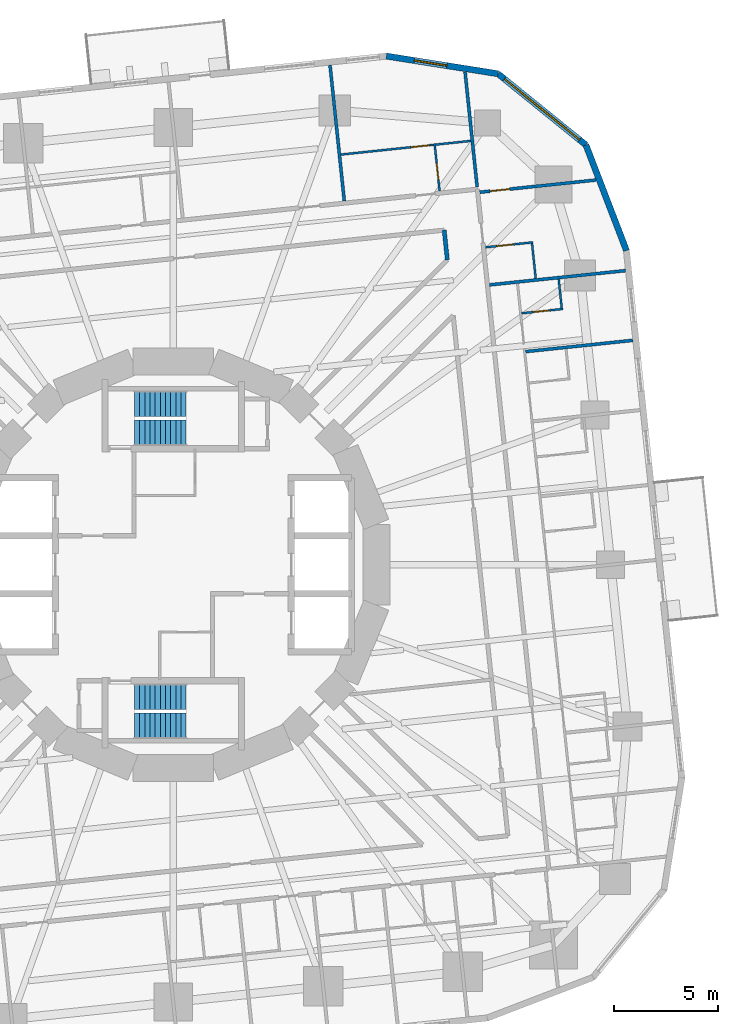
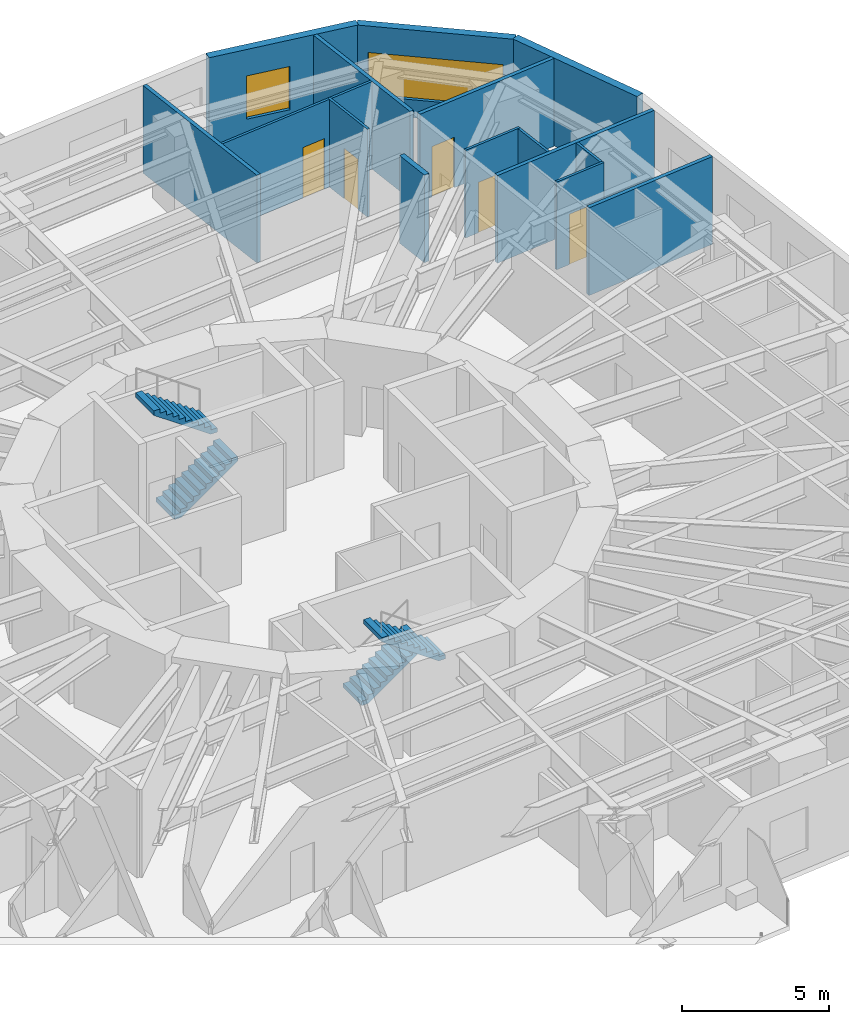
# One storey, part 11 of 13: 16 walls, 5 doors, 4 stair flights, 2 windows, 7 openings, 2 elements without a shape of their own.
"""IFC4 building model written with IfcOpenShell, lengths in metres."""

from ifc_helpers import new_model, si_unit, direction, frame, frame_2d, origin, place, context, subcontext, project, spatial, polyline, rectangle, outline, extrude, material, layer, layer_set, type_object, element, fill, aggregate, save


model = new_model("IFC4")

# Units and contexts
model_context = context("Model", 3, precision=1e-05, world=origin(), true_north=direction((0.0, 1.0)))
body_context = subcontext(model_context, "Body", "Model", "MODEL_VIEW")
ifc_project = project(units=[si_unit("LENGTHUNIT", "METRE"), si_unit("AREAUNIT", "SQUARE_METRE"), si_unit("VOLUMEUNIT", "CUBIC_METRE"), si_unit("PLANEANGLEUNIT", "RADIAN"), si_unit("MASSUNIT", "GRAM", prefix="KILO")], contexts=[model_context])

# Site, building, storey
site_placement = place(None, origin())
site = spatial("IfcSite", under=ifc_project, at=site_placement, CompositionType="ELEMENT")
building_placement = place(site_placement, origin())
building = spatial("IfcBuilding", under=site, at=building_placement, Name="Nakasero Lantern House", CompositionType="ELEMENT")
storey_placement = place(building_placement, frame((0.0, 0.0, 91.300048828125)))
storey = spatial("IfcBuildingStorey", under=building, at=storey_placement, Name="L22", CompositionType="ELEMENT", Elevation=91.300048828125)

# Wall
ifc_material_1 = material(Name="Blockwork", Category="masonry")
ifc_layer_1 = layer(ifc_material_1, 0.199951171875)
ifc_layer_set_1 = layer_set([ifc_layer_1], Name="Corridor wall 200")
wall_type_1 = type_object("IfcWallType", Name="Corridor wall 200", PredefinedType="PARTITIONING", material=ifc_layer_set_1)
wall_1_placement = place(storey_placement, frame((13.23388671875, 14.718994140625, 0.0), z_axis=(0.0, 0.0, 1.0), x_axis=(-0.104420916302, 0.994533193131, 0.0)))
element("IfcWall", 1, at=wall_1_placement, inside=storey, type_object=wall_type_1, Name="Corridor wall L22 IW0-1", PredefinedType="PARTITIONING", context=body_context, shape_type="SweptSolid", body=[
    extrude(rectangle(XDim=1.44482421875, YDim=0.199951171875, at=frame_2d((0.722412109375, 0.0))), origin(), (0.0, 0.0, 1.0), 3.64990234375),
])

# Wall, opening, door
ifc_material_2 = material(Name="Blockwork", Category="masonry")
ifc_layer_2 = layer(ifc_material_2, 0.10009765625)
ifc_layer_set_2 = layer_set([ifc_layer_2], Name="En-suite wall 100")
wall_type_2 = type_object("IfcWallType", Name="En-suite wall 100", PredefinedType="PARTITIONING", material=ifc_layer_set_2)
wall_2_placement = place(storey_placement, frame((16.822998046875, 12.14111328125, 0.0), z_axis=(0.0, 0.0, 1.0), x_axis=(0.99452550138, 0.104494148666, 0.0)))
wall_2 = element("IfcWall", 2, at=wall_2_placement, inside=storey, type_object=wall_type_2, Name="En-suite wall L22 ES0-07", PredefinedType="PARTITIONING", context=body_context, shape_type="SweptSolid", body=[
    extrude(rectangle(XDim=2.0, YDim=0.10009765625, at=frame_2d((1.0, 0.0))), origin(), (0.0, 0.0, 1.0), 3.64990234375),
])
opening_1_placement = place(wall_2_placement, frame((0.550048828125, 0.0, 0.0)))
opening_1 = element("IfcOpeningElement", 3, at=opening_1_placement, cuts=wall_2, Name="Opening D02", PredefinedType="OPENING", context=body_context, shape_type="SweptSolid", body=[
    extrude(rectangle(XDim=0.800048828125, YDim=2.10009765625, at=frame_2d((0.39990234375, 1.050048828125))), frame((0.0, 0.070068359375, 0.0), z_axis=(0.0, -1.0, 0.0), x_axis=(1.0, 0.0, 0.0)), (0.0, 0.0, 1.0), 0.14013671875),
])
ifc_material_3 = material(Name="Timber C24", Category="wood")
door_type_1 = type_object("IfcDoorType", Name="En-suite door 800", OperationType="SINGLE_SWING_RIGHT", PredefinedType="DOOR", material=ifc_material_3)
door_1_placement = place(opening_1_placement, origin())
door_1 = element("IfcDoor", 4, at=door_1_placement, inside=storey, type_object=door_type_1, Name="Door L22 DE0-07", OperationType="SINGLE_SWING_LEFT", OverallHeight=2.10009765625, OverallWidth=0.800048828125, PredefinedType="DOOR", context=body_context, shape_type="SweptSolid", body=[
    extrude(rectangle(XDim=0.800048828125, YDim=2.10009765625, at=frame_2d((0.39990234375, 1.050048828125))), frame((0.0, 0.02490234375, 0.0), z_axis=(0.0, -1.0, 0.0), x_axis=(1.0, 0.0, 0.0)), (0.0, 0.0, 1.0), 0.050048828125),
])
fill(opening_1, door_1)

# Wall
wall_3_placement = place(storey_placement, frame((18.757080078125, 12.394775390625, 0.0), z_axis=(0.0, 0.0, 1.0), x_axis=(-0.104457839748, 0.994529315664, 0.0)))
element("IfcWall", 5, at=wall_3_placement, inside=storey, type_object=wall_type_2, Name="En-suite wall L22 EE0-07", PredefinedType="PARTITIONING", context=body_context, shape_type="SweptSolid", body=[
    extrude(rectangle(XDim=1.39990234375, YDim=0.10009765625, at=frame_2d((0.699951171875, 0.0))), origin(), (0.0, 0.0, 1.0), 3.64990234375),
])

# Wall, opening, door
wall_4_placement = place(storey_placement, frame((15.08056640625, 15.326416015625, 0.0), z_axis=(0.0, 0.0, 1.0), x_axis=(0.994518822602, 0.104557694553, 0.0)))
wall_4 = element("IfcWall", 6, at=wall_4_placement, inside=storey, type_object=wall_type_2, Name="En-suite wall L22 ES0-08", PredefinedType="PARTITIONING", context=body_context, shape_type="SweptSolid", body=[
    extrude(rectangle(XDim=2.300048828125, YDim=0.10009765625, at=frame_2d((1.14990234375, 0.0))), origin(), (0.0, 0.0, 1.0), 3.64990234375),
])
opening_2_placement = place(wall_4_placement, frame((0.550048828125, 0.0, 0.0)))
opening_2 = element("IfcOpeningElement", 7, at=opening_2_placement, cuts=wall_4, Name="Opening D02", PredefinedType="OPENING", context=body_context, shape_type="SweptSolid", body=[
    extrude(rectangle(XDim=0.800048828125, YDim=2.10009765625, at=frame_2d((0.39990234375, 1.050048828125))), frame((0.0, 0.070068359375, 0.0), z_axis=(0.0, -1.0, 0.0), x_axis=(1.0, 0.0, 0.0)), (0.0, 0.0, 1.0), 0.14013671875),
])
door_2_placement = place(opening_2_placement, origin())
door_2 = element("IfcDoor", 8, at=door_2_placement, inside=storey, type_object=door_type_1, Name="Door L22 DE0-08", OperationType="SINGLE_SWING_LEFT", OverallHeight=2.10009765625, OverallWidth=0.800048828125, PredefinedType="DOOR", context=body_context, shape_type="SweptSolid", body=[
    extrude(rectangle(XDim=0.800048828125, YDim=2.10009765625, at=frame_2d((0.39990234375, 1.050048828125))), frame((0.0, 0.02490234375, 0.0), z_axis=(0.0, -1.0, 0.0), x_axis=(1.0, 0.0, 0.0)), (0.0, 0.0, 1.0), 0.050048828125),
])
fill(opening_2, door_2)

# Wall
wall_5_placement = place(storey_placement, frame((17.501220703125, 13.8212890625, 0.0), z_axis=(0.0, 0.0, 1.0), x_axis=(-0.104550220202, 0.994519608382, 0.0)))
element("IfcWall", 9, at=wall_5_placement, inside=storey, type_object=wall_type_2, Name="En-suite wall L22 EE0-08", PredefinedType="PARTITIONING", context=body_context, shape_type="SweptSolid", body=[
    extrude(rectangle(XDim=1.699951171875, YDim=0.10009765625, at=frame_2d((0.85009765625, 0.0))), origin(), (0.0, 0.0, 1.0), 3.64990234375),
])

# Wall, opening, door
wall_6_placement = place(storey_placement, frame((12.859375, 18.04296875, 0.0), z_axis=(0.0, 0.0, 1.0), x_axis=(-0.104452703326, 0.994529855142, 0.0)))
wall_6 = element("IfcWall", 10, at=wall_6_placement, inside=storey, type_object=wall_type_2, Name="En-suite wall L22 ES1-00", PredefinedType="PARTITIONING", context=body_context, shape_type="SweptSolid", body=[
    extrude(rectangle(XDim=2.300048828125, YDim=0.10009765625, at=frame_2d((1.14990234375, 0.0))), origin(), (0.0, 0.0, 1.0), 3.64990234375),
])
opening_3_placement = place(wall_6_placement, frame((0.550048828125, 0.0, 0.0)))
opening_3 = element("IfcOpeningElement", 11, at=opening_3_placement, cuts=wall_6, Name="Opening D02", PredefinedType="OPENING", context=body_context, shape_type="SweptSolid", body=[
    extrude(rectangle(XDim=0.800048828125, YDim=2.10009765625, at=frame_2d((0.39990234375, 1.050048828125))), frame((0.0, 0.070068359375, 0.0), z_axis=(0.0, -1.0, 0.0), x_axis=(1.0, 0.0, 0.0)), (0.0, 0.0, 1.0), 0.14013671875),
])
door_3_placement = place(opening_3_placement, origin())
door_3 = element("IfcDoor", 12, at=door_3_placement, inside=storey, type_object=door_type_1, Name="Door L22 DE1-00", OperationType="SINGLE_SWING_LEFT", OverallHeight=2.10009765625, OverallWidth=0.800048828125, PredefinedType="DOOR", context=body_context, shape_type="SweptSolid", body=[
    extrude(rectangle(XDim=0.800048828125, YDim=2.10009765625, at=frame_2d((0.39990234375, 1.050048828125))), frame((0.0, 0.02490234375, 0.0), z_axis=(0.0, -1.0, 0.0), x_axis=(1.0, 0.0, 0.0)), (0.0, 0.0, 1.0), 0.050048828125),
])
fill(opening_3, door_3)

# Wall
wall_7_placement = place(storey_placement, frame((14.36474609375, 20.463623046875, 0.0), z_axis=(0.0, 0.0, 1.0), x_axis=(-0.994519608382, -0.104550220202, 0.0)))
element("IfcWall", 13, at=wall_7_placement, inside=storey, type_object=wall_type_2, Name="En-suite wall L22 EE1-00", PredefinedType="PARTITIONING", context=body_context, shape_type="SweptSolid", body=[
    extrude(rectangle(XDim=1.699951171875, YDim=0.10009765625, at=frame_2d((0.85009765625, 0.0))), origin(), (0.0, 0.0, 1.0), 3.64990234375),
])

# Wall, opening, door
wall_8_placement = place(storey_placement, frame((12.574462890625, 20.275390625, 0.0), z_axis=(0.0, 0.0, 1.0), x_axis=(-0.994521195757, -0.104535119414, 0.0)))
wall_8 = element("IfcWall", 14, at=wall_8_placement, inside=storey, type_object=wall_type_2, Name="En-suite wall L22 EL1-00", PredefinedType="PARTITIONING", context=body_context, shape_type="SweptSolid", body=[
    extrude(rectangle(XDim=4.50048828125, YDim=0.10009765625, at=frame_2d((2.250244140625, 0.0))), origin(), (0.0, 0.0, 1.0), 3.64990234375),
])
opening_4_placement = place(wall_8_placement, frame((0.199951171875, 0.0, 0.0)))
opening_4 = element("IfcOpeningElement", 15, at=opening_4_placement, cuts=wall_8, Name="Opening D17", PredefinedType="OPENING", context=body_context, shape_type="SweptSolid", body=[
    extrude(rectangle(XDim=0.89990234375, YDim=2.10009765625, at=frame_2d((0.449951171875, 1.050048828125))), frame((0.0, 0.070068359375, 0.0), z_axis=(0.0, -1.0, 0.0), x_axis=(1.0, 0.0, 0.0)), (0.0, 0.0, 1.0), 0.14013671875),
])
ifc_material_4 = material(Name="Timber C24", Category="wood")
door_type_2 = type_object("IfcDoorType", Name="Bedroom door FD30S 900", OperationType="SINGLE_SWING_LEFT", PredefinedType="DOOR", material=ifc_material_4)
door_4_placement = place(opening_4_placement, origin())
door_4 = element("IfcDoor", 16, at=door_4_placement, inside=storey, type_object=door_type_2, Name="Door L22 DL1-00", OperationType="SINGLE_SWING_LEFT", OverallHeight=2.10009765625, OverallWidth=0.89990234375, PredefinedType="DOOR", context=body_context, shape_type="SweptSolid", body=[
    extrude(rectangle(XDim=0.89990234375, YDim=2.10009765625, at=frame_2d((0.449951171875, 1.050048828125))), frame((0.0, 0.02490234375, 0.0), z_axis=(0.0, -1.0, 0.0), x_axis=(1.0, 0.0, 0.0)), (0.0, 0.0, 1.0), 0.050048828125),
])
fill(opening_4, door_4)

# Wall
ifc_material_5 = material(Name="Aluminium rainscreen on blockwork", Category="masonry")
ifc_layer_3 = layer(ifc_material_5, 0.300048828125)
ifc_layer_set_3 = layer_set([ifc_layer_3], Name="Facade wall 300")
wall_type_3 = type_object("IfcWallType", Name="Facade wall 300", PredefinedType="SOLIDWALL", material=ifc_layer_set_3)
wall_9_placement = place(storey_placement, frame((21.884033203125, 15.170654296875, 0.0), z_axis=(0.0, 0.0, 1.0), x_axis=(-0.358358884793, 0.933583906079, 0.0)))
element("IfcWall", 17, at=wall_9_placement, inside=storey, type_object=wall_type_3, Name="Facade wall L22 FW0C1", PredefinedType="SOLIDWALL", context=body_context, shape_type="SweptSolid", body=[
    extrude(rectangle(XDim=5.461181640625, YDim=0.300048828125, at=frame_2d((2.73046875, 0.0))), origin(), (0.0, 0.0, 1.0), 3.64990234375),
])

# Wall, opening, window
wall_10_placement = place(storey_placement, frame((19.927001953125, 20.26904296875, 0.0), z_axis=(0.0, 0.0, 1.0), x_axis=(-0.777134500863, 0.629334543442, 0.0)))
wall_10 = element("IfcWall", 18, at=wall_10_placement, inside=storey, type_object=wall_type_3, Name="Facade wall L22 FW0C2", PredefinedType="SOLIDWALL", context=body_context, shape_type="SweptSolid", body=[
    extrude(rectangle(XDim=5.4609375, YDim=0.300048828125, at=frame_2d((2.73046875, 0.0))), origin(), (0.0, 0.0, 1.0), 3.64990234375),
])
opening_5_placement = place(wall_10_placement, frame((0.39990234375, 0.0, 0.75)))
opening_5 = element("IfcOpeningElement", 19, at=opening_5_placement, cuts=wall_10, Name="Opening W246", PredefinedType="OPENING", context=body_context, shape_type="SweptSolid", body=[
    extrude(rectangle(XDim=4.660888671875, YDim=1.800048828125, at=frame_2d((2.33056640625, 0.89990234375))), frame((0.0, 0.169921875, 0.0), z_axis=(0.0, -1.0, 0.0), x_axis=(1.0, 0.0, 0.0)), (0.0, 0.0, 1.0), 0.340087890625),
])
ifc_material_6 = material(Name="Aluminium 6063-T6 and glass", Category="aluminium")
window_type_1 = type_object("IfcWindowType", Name="Corner window 4661x1800", PartitioningType="SINGLE_PANEL", PredefinedType="WINDOW", material=ifc_material_6)
window_1_placement = place(opening_5_placement, origin())
window_1 = element("IfcWindow", 20, at=window_1_placement, inside=storey, type_object=window_type_1, Name="Window L22 WC0", OverallHeight=1.800048828125, OverallWidth=4.660888671875, PartitioningType="SINGLE_PANEL", PredefinedType="WINDOW", context=body_context, shape_type="SweptSolid", body=[
    extrude(rectangle(XDim=4.660888671875, YDim=1.800048828125, at=frame_2d((2.33056640625, 0.89990234375))), frame((0.0, 0.030029296875, 0.0), z_axis=(0.0, -1.0, 0.0), x_axis=(1.0, 0.0, 0.0)), (0.0, 0.0, 1.0), 0.06005859375),
])
fill(opening_5, window_1)

wall_11_placement = place(storey_placement, frame((15.68310546875, 23.705810546875, 0.0), z_axis=(0.0, 0.0, 1.0), x_axis=(-0.987690729142, 0.156419383601, 0.0)))
wall_11 = element("IfcWall", 21, at=wall_11_placement, inside=storey, type_object=wall_type_3, Name="Facade wall L22 FW0C3", PredefinedType="SOLIDWALL", context=body_context, shape_type="SweptSolid", body=[
    extrude(rectangle(XDim=5.461181640625, YDim=0.300048828125, at=frame_2d((2.73046875, 0.0))), origin(), (0.0, 0.0, 1.0), 3.64990234375),
])
opening_6_placement = place(wall_11_placement, frame((2.5, 0.0, 0.75)))
opening_6 = element("IfcOpeningElement", 22, at=opening_6_placement, cuts=wall_11, Name="Opening W01", PredefinedType="OPENING", context=body_context, shape_type="SweptSolid", body=[
    extrude(rectangle(XDim=1.60009765625, YDim=1.800048828125, at=frame_2d((0.800048828125, 0.89990234375))), frame((0.0, 0.169921875, 0.0), z_axis=(0.0, -1.0, 0.0), x_axis=(1.0, 0.0, 0.0)), (0.0, 0.0, 1.0), 0.340087890625),
])
ifc_material_7 = material(Name="Aluminium 6063-T6 and glass", Category="aluminium")
window_type_2 = type_object("IfcWindowType", Name="Bedroom window 1600x1800", PartitioningType="SINGLE_PANEL", PredefinedType="WINDOW", material=ifc_material_7)
window_2_placement = place(opening_6_placement, origin())
window_2 = element("IfcWindow", 23, at=window_2_placement, inside=storey, type_object=window_type_2, Name="Window L22 WN1-00", OverallHeight=1.800048828125, OverallWidth=1.60009765625, PartitioningType="SINGLE_PANEL", PredefinedType="WINDOW", context=body_context, shape_type="SweptSolid", body=[
    extrude(rectangle(XDim=1.60009765625, YDim=1.800048828125, at=frame_2d((0.800048828125, 0.89990234375))), frame((0.0, 0.030029296875, 0.0), z_axis=(0.0, -1.0, 0.0), x_axis=(1.0, 0.0, 0.0)), (0.0, 0.0, 1.0), 0.06005859375),
])
fill(opening_6, window_2)

# Walls
ifc_material_8 = material(Name="Blockwork", Category="masonry")
ifc_layer_4 = layer(ifc_material_8, 0.14990234375)
ifc_layer_set_4 = layer_set([ifc_layer_4], Name="Party wall 150")
wall_type_4 = type_object("IfcWallType", Name="Party wall 150", PredefinedType="PARTITIONING", material=ifc_layer_set_4)
wall_12_placement = place(storey_placement, frame((17.017578125, 10.290771484375, 0.0), z_axis=(0.0, 0.0, 1.0), x_axis=(0.994523446942, 0.104513699976, 0.0)))
element("IfcWall", 24, at=wall_12_placement, inside=storey, type_object=wall_type_4, Name="Party wall L22 PW0-07", PredefinedType="PARTITIONING", context=body_context, shape_type="SweptSolid", body=[
    extrude(rectangle(XDim=5.199951171875, YDim=0.14990234375, at=frame_2d((2.60009765625, 0.0))), origin(), (0.0, 0.0, 1.0), 3.64990234375),
])
wall_13_placement = place(storey_placement, frame((15.271240234375, 13.511474609375, 0.0), z_axis=(0.0, 0.0, 1.0), x_axis=(0.994521251134, 0.104534592565, 0.0)))
element("IfcWall", 25, at=wall_13_placement, inside=storey, type_object=wall_type_4, Name="Party wall L22 PW0-08", PredefinedType="PARTITIONING", context=body_context, shape_type="SweptSolid", body=[
    extrude(rectangle(XDim=6.60009765625, YDim=0.14990234375, at=frame_2d((3.300048828125, 0.0))), origin(), (0.0, 0.0, 1.0), 3.64990234375),
])

# Wall, opening, door
wall_14_placement = place(storey_placement, frame((14.801025390625, 17.9853515625, 0.0), z_axis=(0.0, 0.0, 1.0), x_axis=(0.994522751177, 0.104520320471, 0.0)))
wall_14 = element("IfcWall", 26, at=wall_14_placement, inside=storey, type_object=wall_type_4, Name="Party wall L22 PC0", PredefinedType="PARTITIONING", context=body_context, shape_type="SweptSolid", body=[
    extrude(rectangle(XDim=5.64111328125, YDim=0.14990234375, at=frame_2d((2.820556640625, 0.0))), origin(), (0.0, 0.0, 1.0), 3.64990234375),
])
opening_7_placement = place(wall_14_placement, frame((0.5, 0.0, 0.0)))
opening_7 = element("IfcOpeningElement", 27, at=opening_7_placement, cuts=wall_14, Name="Opening D01", PredefinedType="OPENING", context=body_context, shape_type="SweptSolid", body=[
    extrude(rectangle(XDim=0.949951171875, YDim=2.10009765625, at=frame_2d((0.47509765625, 1.050048828125))), frame((0.0, 0.094970703125, 0.0), z_axis=(0.0, -1.0, 0.0), x_axis=(1.0, 0.0, 0.0)), (0.0, 0.0, 1.0), 0.18994140625),
])
ifc_material_9 = material(Name="Timber C24", Category="wood")
door_type_3 = type_object("IfcDoorType", Name="Bedroom door FD30S 950", OperationType="SINGLE_SWING_LEFT", PredefinedType="DOOR", material=ifc_material_9)
door_5_placement = place(opening_7_placement, origin())
door_5 = element("IfcDoor", 28, at=door_5_placement, inside=storey, type_object=door_type_3, Name="Door L22 DC0", OperationType="SINGLE_SWING_LEFT", OverallHeight=2.10009765625, OverallWidth=0.949951171875, PredefinedType="DOOR", context=body_context, shape_type="SweptSolid", body=[
    extrude(rectangle(XDim=0.949951171875, YDim=2.10009765625, at=frame_2d((0.47509765625, 1.050048828125))), frame((0.0, 0.02490234375, 0.0), z_axis=(0.0, -1.0, 0.0), x_axis=(1.0, 0.0, 0.0)), (0.0, 0.0, 1.0), 0.050048828125),
])
fill(opening_7, door_5)

# Walls
wall_15_placement = place(storey_placement, frame((14.674560546875, 18.23388671875, 0.0), z_axis=(0.0, 0.0, 1.0), x_axis=(-0.104541754786, 0.994520498284, 0.0)))
element("IfcWall", 29, at=wall_15_placement, inside=storey, type_object=wall_type_4, Name="Party wall L22 PW1-00", PredefinedType="PARTITIONING", context=body_context, shape_type="SweptSolid", body=[
    extrude(rectangle(XDim=5.597900390625, YDim=0.14990234375, at=frame_2d((2.798828125, 0.0))), origin(), (0.0, 0.0, 1.0), 3.64990234375),
])
wall_16_placement = place(storey_placement, frame((8.25927734375, 17.5595703125, 0.0), z_axis=(0.0, 0.0, 1.0), x_axis=(-0.104538438287, 0.994520846901, 0.0)))
element("IfcWall", 30, at=wall_16_placement, inside=storey, type_object=wall_type_4, Name="Party wall L22 PW1-02", PredefinedType="PARTITIONING", context=body_context, shape_type="SweptSolid", body=[
    extrude(rectangle(XDim=6.599853515625, YDim=0.14990234375, at=frame_2d((3.2998046875, 0.0))), origin(), (0.0, 0.0, 1.0), 3.64990234375),
])

# Stair, stair flights
ifc_material_10 = material(Name="Concrete C40/50", Category="concrete")
stair_type_1 = type_object("IfcStairType", Name="Escape stair ST1 22 risers", PredefinedType="HALF_TURN_STAIR", material=ifc_material_10)
stair_1_placement = place(storey_placement, origin())
stair_1 = element("IfcStair", 31, at=stair_1_placement, inside=storey, type_object=stair_type_1, Name="Escape stair ST1 L22", PredefinedType="HALF_TURN_STAIR")
ifc_material_11 = material(Name="Concrete C40/50", Category="concrete")
stair_flight_type = type_object("IfcStairFlightType", Name="Escape stair flight", PredefinedType="STRAIGHT", material=ifc_material_11)
stair_flight_1_placement = place(storey_placement, frame((-1.875, 6.375, 0.0), z_axis=(0.0, 0.0, 1.0), x_axis=(1.0, 0.0, 0.0)))
stair_flight_1 = element("IfcStairFlight", 32, at=stair_flight_1_placement, type_object=stair_flight_type, Name="ST1 flight 1", NumberOfRisers=11, NumberOfTreads=10, PredefinedType="STRAIGHT", RiserHeight=0.175, TreadLength=0.25, context=body_context, shape_type="SweptSolid", body=[
    extrude(outline(polyline([(0.0, 0.0), (0.0, 0.175048828125), (0.25, 0.175048828125), (0.25, 0.35009765625), (0.5, 0.35009765625), (0.5, 0.52490234375), (0.75, 0.52490234375), (0.75, 0.699951171875), (1.0, 0.699951171875), (1.0, 0.875), (1.25, 0.875), (1.25, 1.050048828125), (1.5, 1.050048828125), (1.5, 1.22509765625), (1.75, 1.22509765625), (1.75, 1.39990234375), (2.0, 1.39990234375), (2.0, 1.574951171875), (2.25, 1.574951171875), (2.25, 1.75), (2.5, 1.75), (2.5, 1.925048828125), (2.5, 1.567138671875), (0.261474609375, 0.0), (0.0, 0.0)])), frame((0.0, 0.625, 0.0), z_axis=(0.0, -1.0, 0.0), x_axis=(1.0, 0.0, 0.0)), (0.0, 0.0, 1.0), 1.25),
])
stair_flight_2_placement = place(storey_placement, frame((0.625, 7.77490234375, 1.925048828125), z_axis=(0.0, 0.0, 1.0), x_axis=(-1.0, 0.0, 0.0)))
stair_flight_2 = element("IfcStairFlight", 33, at=stair_flight_2_placement, type_object=stair_flight_type, Name="ST1 flight 2", NumberOfRisers=11, NumberOfTreads=10, PredefinedType="STRAIGHT", RiserHeight=0.175, TreadLength=0.25, context=body_context, shape_type="SweptSolid", body=[
    extrude(outline(polyline([(0.0, 0.0), (0.0, 0.175048828125), (0.25, 0.175048828125), (0.25, 0.35009765625), (0.5, 0.35009765625), (0.5, 0.52490234375), (0.75, 0.52490234375), (0.75, 0.699951171875), (1.0, 0.699951171875), (1.0, 0.875), (1.25, 0.875), (1.25, 1.050048828125), (1.5, 1.050048828125), (1.5, 1.22509765625), (1.75, 1.22509765625), (1.75, 1.39990234375), (2.0, 1.39990234375), (2.0, 1.574951171875), (2.25, 1.574951171875), (2.25, 1.75), (2.5, 1.75), (2.5, 1.925048828125), (2.5, 1.567138671875), (0.261474609375, 0.0), (0.0, 0.0)])), frame((0.0, 0.625, 0.0), z_axis=(0.0, -1.0, 0.0), x_axis=(1.0, 0.0, 0.0)), (0.0, 0.0, 1.0), 1.25),
])
aggregate(stair_1, [stair_flight_1, stair_flight_2])

ifc_material_12 = material(Name="Concrete C40/50", Category="concrete")
stair_type_2 = type_object("IfcStairType", Name="Escape stair ST2 22 risers", PredefinedType="HALF_TURN_STAIR", material=ifc_material_12)
stair_2_placement = place(storey_placement, origin())
stair_2 = element("IfcStair", 34, at=stair_2_placement, inside=storey, type_object=stair_type_2, Name="Escape stair ST2 L22", PredefinedType="HALF_TURN_STAIR")
stair_flight_3_placement = place(storey_placement, frame((-1.875, -6.375, 0.0), z_axis=(0.0, 0.0, 1.0), x_axis=(1.0, 0.0, 0.0)))
stair_flight_3 = element("IfcStairFlight", 35, at=stair_flight_3_placement, type_object=stair_flight_type, Name="ST2 flight 1", NumberOfRisers=11, NumberOfTreads=10, PredefinedType="STRAIGHT", RiserHeight=0.175, TreadLength=0.25, context=body_context, shape_type="SweptSolid", body=[
    extrude(outline(polyline([(0.0, 0.0), (0.0, 0.175048828125), (0.25, 0.175048828125), (0.25, 0.35009765625), (0.5, 0.35009765625), (0.5, 0.52490234375), (0.75, 0.52490234375), (0.75, 0.699951171875), (1.0, 0.699951171875), (1.0, 0.875), (1.25, 0.875), (1.25, 1.050048828125), (1.5, 1.050048828125), (1.5, 1.22509765625), (1.75, 1.22509765625), (1.75, 1.39990234375), (2.0, 1.39990234375), (2.0, 1.574951171875), (2.25, 1.574951171875), (2.25, 1.75), (2.5, 1.75), (2.5, 1.925048828125), (2.5, 1.567138671875), (0.261474609375, 0.0), (0.0, 0.0)])), frame((0.0, 0.625, 0.0), z_axis=(0.0, -1.0, 0.0), x_axis=(1.0, 0.0, 0.0)), (0.0, 0.0, 1.0), 1.25),
])
stair_flight_4_placement = place(storey_placement, frame((0.625, -7.77490234375, 1.925048828125), z_axis=(0.0, 0.0, 1.0), x_axis=(-1.0, 0.0, 0.0)))
stair_flight_4 = element("IfcStairFlight", 36, at=stair_flight_4_placement, type_object=stair_flight_type, Name="ST2 flight 2", NumberOfRisers=11, NumberOfTreads=10, PredefinedType="STRAIGHT", RiserHeight=0.175, TreadLength=0.25, context=body_context, shape_type="SweptSolid", body=[
    extrude(outline(polyline([(0.0, 0.0), (0.0, 0.175048828125), (0.25, 0.175048828125), (0.25, 0.35009765625), (0.5, 0.35009765625), (0.5, 0.52490234375), (0.75, 0.52490234375), (0.75, 0.699951171875), (1.0, 0.699951171875), (1.0, 0.875), (1.25, 0.875), (1.25, 1.050048828125), (1.5, 1.050048828125), (1.5, 1.22509765625), (1.75, 1.22509765625), (1.75, 1.39990234375), (2.0, 1.39990234375), (2.0, 1.574951171875), (2.25, 1.574951171875), (2.25, 1.75), (2.5, 1.75), (2.5, 1.925048828125), (2.5, 1.567138671875), (0.261474609375, 0.0), (0.0, 0.0)])), frame((0.0, 0.625, 0.0), z_axis=(0.0, -1.0, 0.0), x_axis=(1.0, 0.0, 0.0)), (0.0, 0.0, 1.0), 1.25),
])
aggregate(stair_2, [stair_flight_3, stair_flight_4])

save(model, "model.ifc")
